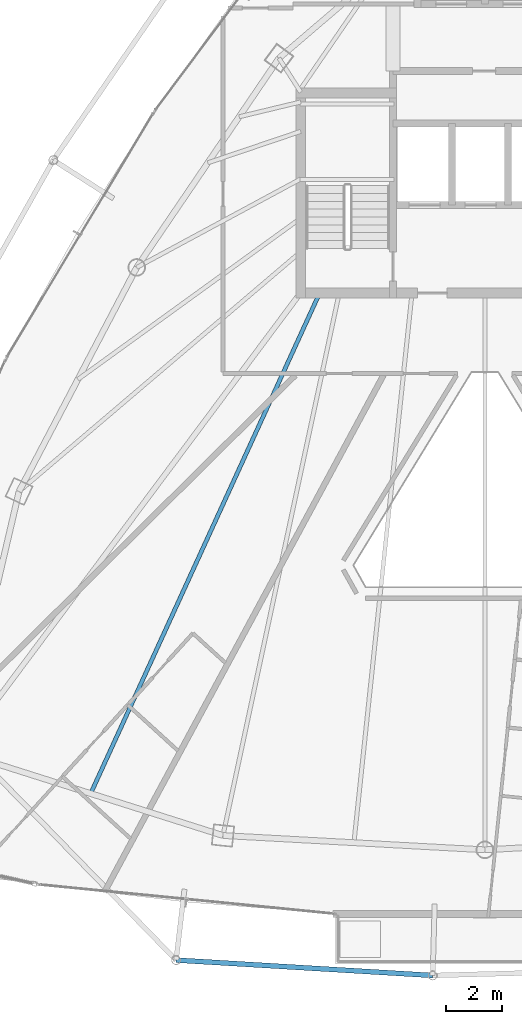
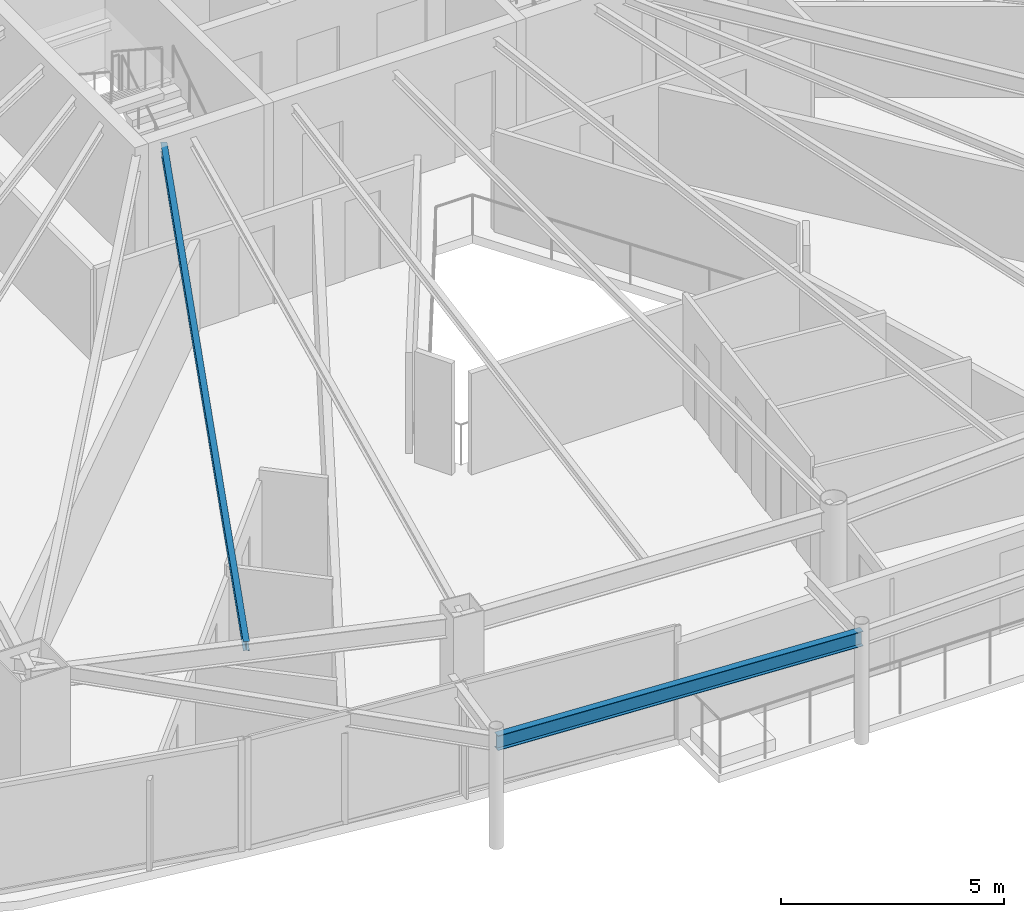
# One storey, part 7 of 33: 2 beams.
"""IFC4 building model written with IfcOpenShell, lengths in metres."""

from ifc_helpers import new_model, si_unit, direction, frame, origin, origin_2d, place, context, subcontext, project, spatial, i_section, extrude, material, material_profile, profile_set, type_object, element, save


model = new_model("IFC4")

# Units and contexts
model_context = context("Model", 3, precision=1e-05, world=origin(), true_north=direction((0.0, 1.0)))
body_context = subcontext(model_context, "Body", "Model", "MODEL_VIEW")
ifc_project = project(units=[si_unit("LENGTHUNIT", "METRE"), si_unit("AREAUNIT", "SQUARE_METRE"), si_unit("VOLUMEUNIT", "CUBIC_METRE"), si_unit("PLANEANGLEUNIT", "RADIAN"), si_unit("MASSUNIT", "GRAM", prefix="KILO")], contexts=[model_context])

# Site, building, storey
site_placement = place(None, origin())
site = spatial("IfcSite", under=ifc_project, at=site_placement, CompositionType="ELEMENT")
building_placement = place(site_placement, origin())
building = spatial("IfcBuilding", under=site, at=building_placement, Name="Orvanel Arch Residences", CompositionType="ELEMENT")
storey_placement = place(building_placement, frame((0.0, 0.0, 196.39990234375)))
storey = spatial("IfcBuildingStorey", under=building, at=storey_placement, Name="L55", CompositionType="ELEMENT", Elevation=196.39990234375)

# Beams
ifc_material = material(Name="Structural steel AS/NZS 3679.1 Grade 300 (300 MPa)", Category="steel")
ifc_material_profile_1 = material_profile(ifc_material, i_section(OverallWidth=0.14599609375, OverallDepth=0.251953125, WebThickness=0.006103515625, FlangeThickness=0.008544921875, at=origin_2d()), Name="250UB31.4")
ifc_profile_set_1 = profile_set([ifc_material_profile_1], Name="Structural steel AS/NZS 3679.1 Grade 300 (300 MPa)")
beam_type_1 = type_object("IfcBeamType", Name="BJ-250UB", PredefinedType="JOIST", material=ifc_profile_set_1)
beam_1_placement = place(storey_placement, frame((27.10009765625, 26.72509765625, 2.93408203125), z_axis=(-0.416009574066, -0.909360233508, 0.0), x_axis=(0.909360233508, -0.416009574066, 0.0)))
element("IfcBeam", 1, at=beam_1_placement, inside=storey, type_object=beam_type_1, Name="L55 JADD1 Wing Floor Joist", PredefinedType="JOIST", context=body_context, shape_type="SweptSolid", body=[
    extrude(i_section(OverallWidth=0.14599609375, OverallDepth=0.251953125, WebThickness=0.006103515625, FlangeThickness=0.008544921875, at=origin_2d()), origin(), (0.0, 0.0, 1.0), 19.653564453125),
])
ifc_material_profile_2 = material_profile(ifc_material, i_section(OverallWidth=0.177978515625, OverallDepth=0.406005859375, WebThickness=0.0078125, FlangeThickness=0.0126953125, at=origin_2d()), Name="410UB59.7")
ifc_profile_set_2 = profile_set([ifc_material_profile_2], Name="Structural steel AS/NZS 3679.1 Grade 300 (300 MPa)")
beam_type_2 = type_object("IfcBeamType", Name="OB-410UB-EXT", PredefinedType="SPANDREL", material=ifc_profile_set_2)
beam_2_placement = place(storey_placement, frame((21.97509765625, 2.906005859375, 2.857177734375), z_axis=(0.998215357636, -0.05971682996, 0.0), x_axis=(0.05971682996, 0.998215357636, 0.0)))
element("IfcBeam", 2, at=beam_2_placement, inside=storey, type_object=beam_type_2, Name="L55 Outer Perimeter Floor Ring Beam 05", PredefinedType="SPANDREL", context=body_context, shape_type="SweptSolid", body=[
    extrude(i_section(OverallWidth=0.177978515625, OverallDepth=0.406005859375, WebThickness=0.0078125, FlangeThickness=0.0126953125, at=origin_2d()), origin(), (0.0, 0.0, 1.0), 9.17822265625),
])

save(model, "model.ifc")
